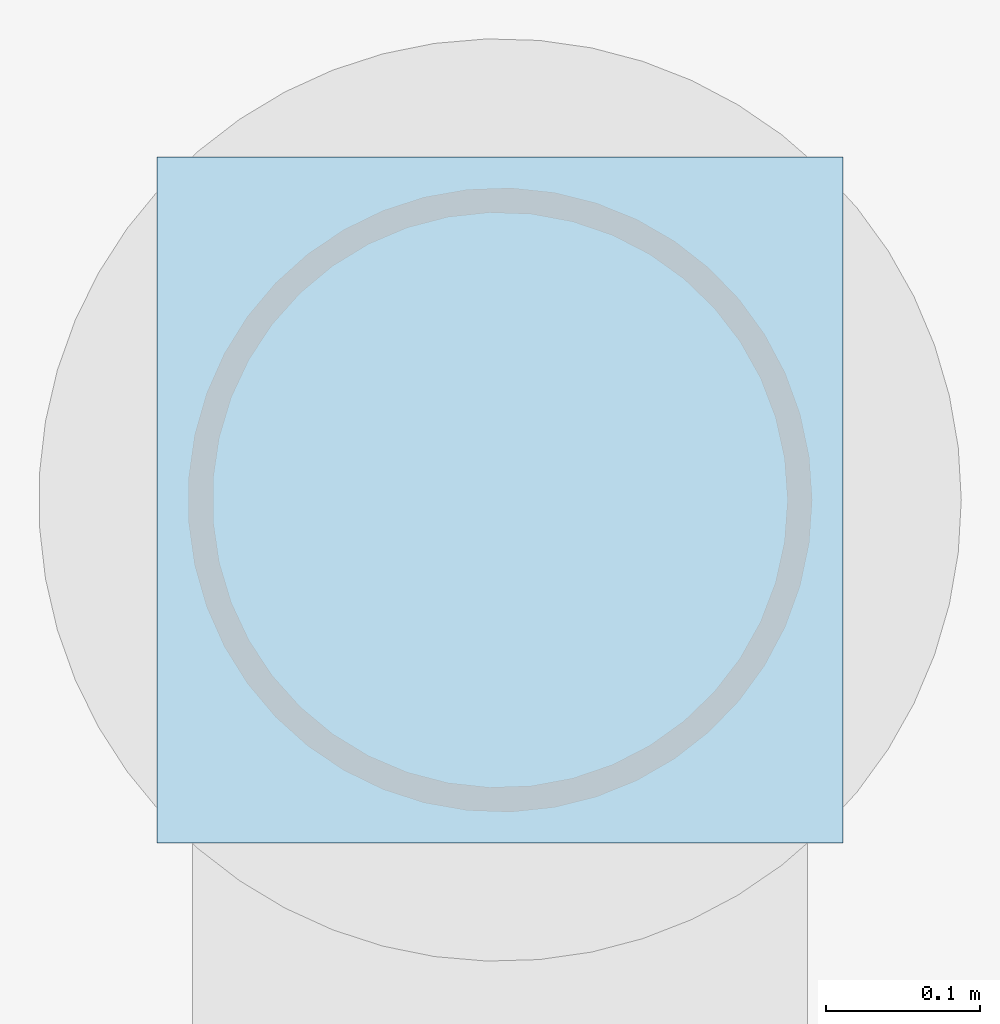
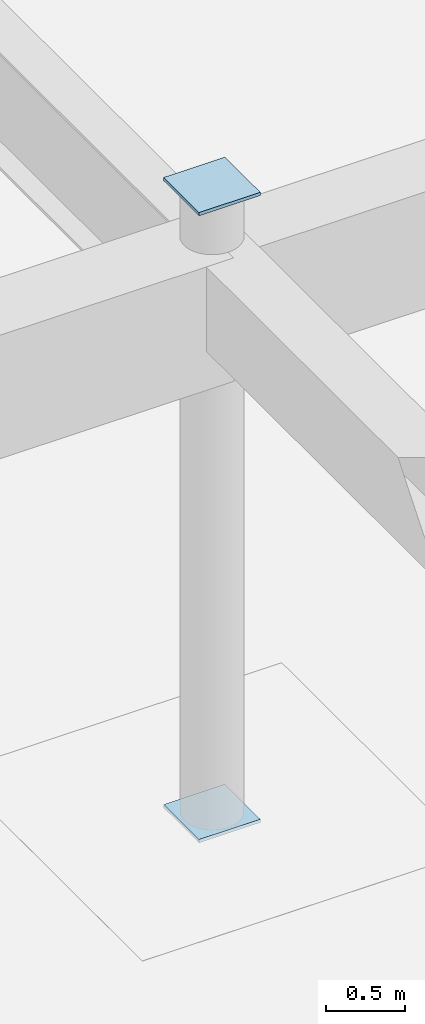
# One storey, part 97 of 136: 2 plates.
"""IFC4 building model written with IfcOpenShell, lengths in metres."""

from ifc_helpers import new_model, si_unit, direction, frame, origin, origin_2d, place, context, subcontext, project, spatial, rectangle, extrude, material, layer, layer_set, type_object, element, save


model = new_model("IFC4")

# Units and contexts
model_context = context("Model", 3, precision=1e-05, world=origin(), true_north=direction((0.0, 1.0)))
body_context = subcontext(model_context, "Body", "Model", "MODEL_VIEW")
ifc_project = project(units=[si_unit("LENGTHUNIT", "METRE"), si_unit("AREAUNIT", "SQUARE_METRE"), si_unit("VOLUMEUNIT", "CUBIC_METRE"), si_unit("PLANEANGLEUNIT", "RADIAN"), si_unit("MASSUNIT", "GRAM", prefix="KILO")], contexts=[model_context])

# Site, building, storey
site_placement = place(None, origin())
site = spatial("IfcSite", under=ifc_project, at=site_placement, CompositionType="ELEMENT")
building_placement = place(site_placement, origin())
building = spatial("IfcBuilding", under=site, at=building_placement, Name="Tarnwether General Hospital", CompositionType="ELEMENT")
storey_placement = place(building_placement, frame((0.0, 0.0, -4.800048828125)))
storey = spatial("IfcBuildingStorey", under=building, at=storey_placement, Name="LG", CompositionType="ELEMENT", Elevation=-4.800048828125)

# Plates
ifc_material = material(Name="Steel Grade 350 (350 MPa)", Category="steel")
ifc_layer = layer(ifc_material, 0.02490234375)
ifc_layer_set = layer_set([ifc_layer], Name="Steel Grade 350 (350 MPa)")
plate_type = type_object("IfcPlateType", Name="PT-GUS2", PredefinedType="USERDEFINED", material=ifc_layer_set)
for number, where, z_axis, x_axis, name in (
    (1, (48.0, 81.60009765625, -0.02490234375), (0.0, 0.0, 1.0), (1.0, 0.0, 0.0), "Hollow Section Welded End Cap Plate 0089"),
    (2, (48.0, 81.60009765625, 4.800048828125), (0.0, 0.0, 1.0), (1.0, 0.0, 0.0), "Hollow Section Welded End Cap Plate 0090"),
):
    element("IfcPlate", number, at=place(storey_placement, frame(where, z_axis=z_axis, x_axis=x_axis)), inside=storey, type_object=plate_type, Name=name, ObjectType="GUSSET", PredefinedType="USERDEFINED", context=body_context, shape_type="SweptSolid", body=[
        extrude(rectangle(XDim=0.446044921875, YDim=0.446044921875, at=origin_2d()), origin(), (0.0, 0.0, 1.0), 0.02490234375),
    ])

save(model, "model.ifc")
